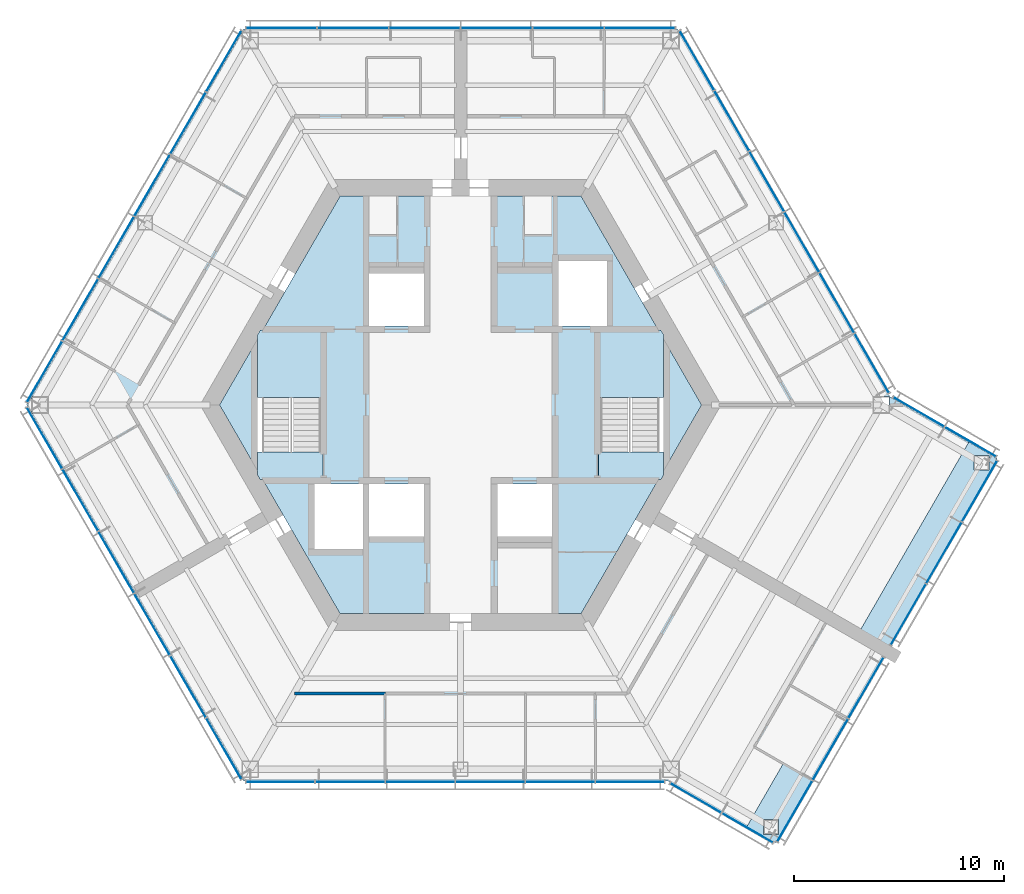
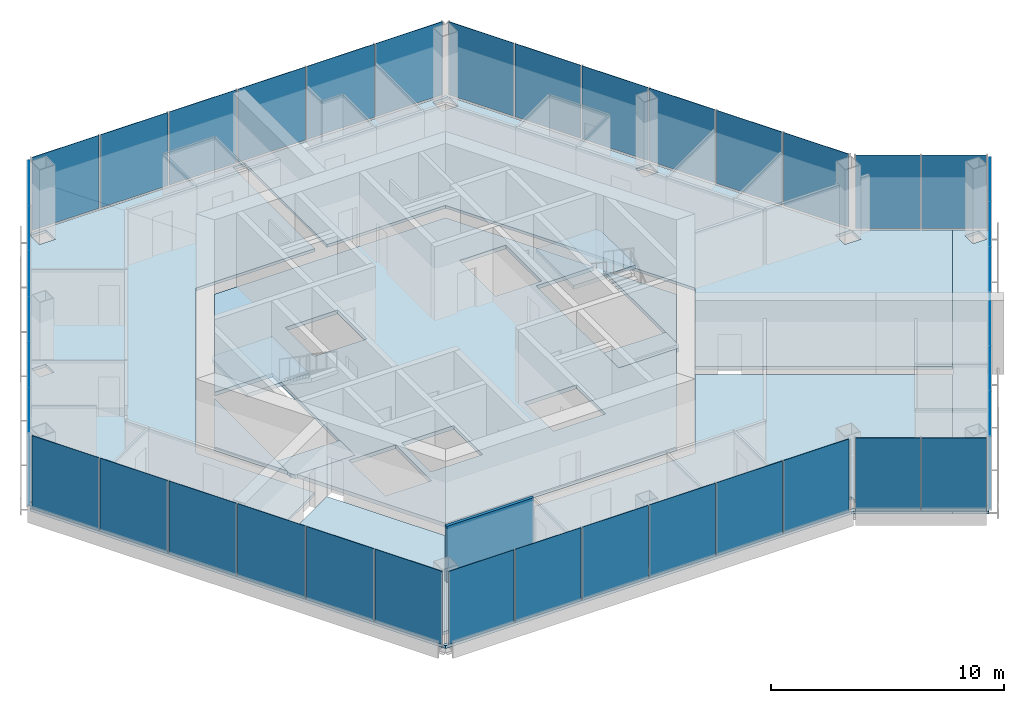
# One storey, part 6 of 13: 40 plates, 9 slabs, 1 wall, 11 elements without a shape of their own.
"""IFC4 building model written with IfcOpenShell, lengths in metres."""

from ifc_helpers import new_model, si_unit, direction, frame, frame_2d, origin, origin_2d, place, context, subcontext, project, spatial, polyline, rectangle, outline, extrude, material, layer, layer_set, type_object, element, aggregate, save


model = new_model("IFC4")

# Units and contexts
model_context = context("Model", 3, precision=1e-05, world=origin(), true_north=direction((0.0, 1.0)))
body_context = subcontext(model_context, "Body", "Model", "MODEL_VIEW")
ifc_project = project(units=[si_unit("LENGTHUNIT", "METRE"), si_unit("AREAUNIT", "SQUARE_METRE"), si_unit("VOLUMEUNIT", "CUBIC_METRE"), si_unit("PLANEANGLEUNIT", "RADIAN"), si_unit("MASSUNIT", "GRAM", prefix="KILO")], contexts=[model_context])

# Site, building, storey
site_placement = place(None, origin())
site = spatial("IfcSite", under=ifc_project, at=site_placement, CompositionType="ELEMENT")
building_placement = place(site_placement, origin())
building = spatial("IfcBuilding", under=site, at=building_placement, Name="Kasaneha Research Tower", CompositionType="ELEMENT")
storey_placement = place(building_placement, frame((0.0, 0.0, 271.300048828125)))
storey = spatial("IfcBuildingStorey", under=building, at=storey_placement, Name="L68", CompositionType="ELEMENT", Elevation=271.300048828125)

# Curtain wall, plates
ifc_material_1 = material(Name="Glass and aluminium", Category="aluminium")
curtain_wall_type = type_object("IfcCurtainWallType", Name="Crown curtain wall", PredefinedType="USERDEFINED", material=ifc_material_1)
curtain_wall_1_placement = place(storey_placement, origin())
curtain_wall_1 = element("IfcCurtainWall", 1, at=curtain_wall_1_placement, inside=storey, type_object=curtain_wall_type, Name="CW-C L68 run 01a", ObjectType="UNITISED CURTAIN WALL", PredefinedType="USERDEFINED")
ifc_material_2 = material(Name="Laminated double glazing", Category="glass")
ifc_layer_1 = layer(ifc_material_2, 0.02587890625)
ifc_layer_set_1 = layer_set([ifc_layer_1], Name="CW-C glazed panel")
plate_type = type_object("IfcPlateType", Name="CW-C glazed panel", PredefinedType="CURTAIN_PANEL", material=ifc_layer_set_1)
plate_1_placement = place(storey_placement, frame((19.549072265625, 1.981201171875, 0.06005859375), z_axis=(0.0, 0.0, 1.0), x_axis=(-0.499999979232, 0.866025415775, 0.0)))
plate_1 = element("IfcPlate", 2, at=plate_1_placement, type_object=plate_type, Name="CW-C panel 1", PredefinedType="CURTAIN_PANEL", context=body_context, shape_type="SweptSolid", body=[
    extrude(rectangle(XDim=3.240966796875, YDim=0.02587890625, at=origin_2d()), origin(), (0.0, 0.0, 1.0), 3.840087890625),
])
plate_2_placement = place(storey_placement, frame((17.89111328125, 4.852783203125, 0.06005859375), z_axis=(0.0, 0.0, 1.0), x_axis=(-0.499999979232, 0.866025415775, 0.0)))
plate_2 = element("IfcPlate", 3, at=plate_2_placement, type_object=plate_type, Name="CW-C panel 2", PredefinedType="CURTAIN_PANEL", context=body_context, shape_type="SweptSolid", body=[
    extrude(rectangle(XDim=3.27099609375, YDim=0.02587890625, at=origin_2d()), origin(), (0.0, 0.0, 1.0), 3.840087890625),
])
plate_3_placement = place(storey_placement, frame((16.2255859375, 7.737548828125, 0.06005859375), z_axis=(0.0, 0.0, 1.0), x_axis=(-0.499999979232, 0.866025415775, 0.0)))
plate_3 = element("IfcPlate", 4, at=plate_3_placement, type_object=plate_type, Name="CW-C panel 3", PredefinedType="CURTAIN_PANEL", context=body_context, shape_type="SweptSolid", body=[
    extrude(rectangle(XDim=3.27099609375, YDim=0.02587890625, at=origin_2d()), origin(), (0.0, 0.0, 1.0), 3.840087890625),
])
plate_4_placement = place(storey_placement, frame((14.56005859375, 10.622314453125, 0.06005859375), z_axis=(0.0, 0.0, 1.0), x_axis=(-0.499999979232, 0.866025415775, 0.0)))
plate_4 = element("IfcPlate", 5, at=plate_4_placement, type_object=plate_type, Name="CW-C panel 4", PredefinedType="CURTAIN_PANEL", context=body_context, shape_type="SweptSolid", body=[
    extrude(rectangle(XDim=3.27099609375, YDim=0.02587890625, at=origin_2d()), origin(), (0.0, 0.0, 1.0), 3.840087890625),
])
plate_5_placement = place(storey_placement, frame((12.89453125, 13.5068359375, 0.06005859375), z_axis=(0.0, 0.0, 1.0), x_axis=(-0.499999979232, 0.866025415775, 0.0)))
plate_5 = element("IfcPlate", 6, at=plate_5_placement, type_object=plate_type, Name="CW-C panel 5", PredefinedType="CURTAIN_PANEL", context=body_context, shape_type="SweptSolid", body=[
    extrude(rectangle(XDim=3.27099609375, YDim=0.02587890625, at=origin_2d()), origin(), (0.0, 0.0, 1.0), 3.840087890625),
])
plate_6_placement = place(storey_placement, frame((11.236572265625, 16.378662109375, 0.06005859375), z_axis=(0.0, 0.0, 1.0), x_axis=(-0.499999979232, 0.866025415775, 0.0)))
plate_6 = element("IfcPlate", 7, at=plate_6_placement, type_object=plate_type, Name="CW-C panel 6", PredefinedType="CURTAIN_PANEL", context=body_context, shape_type="SweptSolid", body=[
    extrude(rectangle(XDim=3.240966796875, YDim=0.02587890625, at=origin_2d()), origin(), (0.0, 0.0, 1.0), 3.840087890625),
])
aggregate(curtain_wall_1, [plate_1, plate_2, plate_3, plate_4, plate_5, plate_6])

curtain_wall_2_placement = place(storey_placement, origin())
curtain_wall_2 = element("IfcCurtainWall", 8, at=curtain_wall_2_placement, inside=storey, type_object=curtain_wall_type, Name="CW-C L68 run 02a", ObjectType="UNITISED CURTAIN WALL", PredefinedType="USERDEFINED")
plate_7_placement = place(storey_placement, frame((8.523681640625, 17.92041015625, 0.06005859375), z_axis=(0.0, 0.0, 1.0), x_axis=(-1.0, 0.0, 0.0)))
plate_7 = element("IfcPlate", 9, at=plate_7_placement, type_object=plate_type, Name="CW-C panel 1", PredefinedType="CURTAIN_PANEL", context=body_context, shape_type="SweptSolid", body=[
    extrude(rectangle(XDim=3.325439453125, YDim=0.02587890625, at=origin_2d()), origin(), (0.0, 0.0, 1.0), 3.840087890625),
])
plate_8_placement = place(storey_placement, frame((5.123291015625, 17.92041015625, 0.06005859375), z_axis=(0.0, 0.0, 1.0), x_axis=(-1.0, 0.0, 0.0)))
plate_8 = element("IfcPlate", 10, at=plate_8_placement, type_object=plate_type, Name="CW-C panel 2", PredefinedType="CURTAIN_PANEL", context=body_context, shape_type="SweptSolid", body=[
    extrude(rectangle(XDim=3.35546875, YDim=0.02587890625, at=origin_2d()), origin(), (0.0, 0.0, 1.0), 3.840087890625),
])
plate_9_placement = place(storey_placement, frame((1.707763671875, 17.92041015625, 0.06005859375), z_axis=(0.0, 0.0, 1.0), x_axis=(-1.0, 0.0, 0.0)))
plate_9 = element("IfcPlate", 11, at=plate_9_placement, type_object=plate_type, Name="CW-C panel 3", PredefinedType="CURTAIN_PANEL", context=body_context, shape_type="SweptSolid", body=[
    extrude(rectangle(XDim=3.35546875, YDim=0.02587890625, at=origin_2d()), origin(), (0.0, 0.0, 1.0), 3.840087890625),
])
plate_10_placement = place(storey_placement, frame((-1.707763671875, 17.92041015625, 0.06005859375), z_axis=(0.0, 0.0, 1.0), x_axis=(-1.0, 0.0, 0.0)))
plate_10 = element("IfcPlate", 12, at=plate_10_placement, type_object=plate_type, Name="CW-C panel 4", PredefinedType="CURTAIN_PANEL", context=body_context, shape_type="SweptSolid", body=[
    extrude(rectangle(XDim=3.35546875, YDim=0.02587890625, at=origin_2d()), origin(), (0.0, 0.0, 1.0), 3.840087890625),
])
plate_11_placement = place(storey_placement, frame((-5.123291015625, 17.92041015625, 0.06005859375), z_axis=(0.0, 0.0, 1.0), x_axis=(-1.0, 0.0, 0.0)))
plate_11 = element("IfcPlate", 13, at=plate_11_placement, type_object=plate_type, Name="CW-C panel 5", PredefinedType="CURTAIN_PANEL", context=body_context, shape_type="SweptSolid", body=[
    extrude(rectangle(XDim=3.35546875, YDim=0.02587890625, at=origin_2d()), origin(), (0.0, 0.0, 1.0), 3.840087890625),
])
plate_12_placement = place(storey_placement, frame((-8.523681640625, 17.92041015625, 0.06005859375), z_axis=(0.0, 0.0, 1.0), x_axis=(-1.0, 0.0, 0.0)))
plate_12 = element("IfcPlate", 14, at=plate_12_placement, type_object=plate_type, Name="CW-C panel 6", PredefinedType="CURTAIN_PANEL", context=body_context, shape_type="SweptSolid", body=[
    extrude(rectangle(XDim=3.325439453125, YDim=0.02587890625, at=origin_2d()), origin(), (0.0, 0.0, 1.0), 3.840087890625),
])
aggregate(curtain_wall_2, [plate_7, plate_8, plate_9, plate_10, plate_11, plate_12])

curtain_wall_3_placement = place(storey_placement, origin())
curtain_wall_3 = element("IfcCurtainWall", 15, at=curtain_wall_3_placement, inside=storey, type_object=curtain_wall_type, Name="CW-C L68 run 03a", ObjectType="UNITISED CURTAIN WALL", PredefinedType="USERDEFINED")
plate_13_placement = place(storey_placement, frame((-11.2578125, 16.342041015625, 0.06005859375), z_axis=(0.0, 0.0, 1.0), x_axis=(-0.499999995722, -0.866025406254, 0.0)))
plate_13 = element("IfcPlate", 16, at=plate_13_placement, type_object=plate_type, Name="CW-C panel 1", PredefinedType="CURTAIN_PANEL", context=body_context, shape_type="SweptSolid", body=[
    extrude(rectangle(XDim=3.325439453125, YDim=0.02587890625, at=origin_2d()), origin(), (0.0, 0.0, 1.0), 3.840087890625),
])
plate_14_placement = place(storey_placement, frame((-12.9580078125, 13.39697265625, 0.06005859375), z_axis=(0.0, 0.0, 1.0), x_axis=(-0.499999995722, -0.866025406254, 0.0)))
plate_14 = element("IfcPlate", 17, at=plate_14_placement, type_object=plate_type, Name="CW-C panel 2", PredefinedType="CURTAIN_PANEL", context=body_context, shape_type="SweptSolid", body=[
    extrude(rectangle(XDim=3.35546875, YDim=0.02587890625, at=origin_2d()), origin(), (0.0, 0.0, 1.0), 3.840087890625),
])
plate_15_placement = place(storey_placement, frame((-14.665771484375, 10.439208984375, 0.06005859375), z_axis=(0.0, 0.0, 1.0), x_axis=(-0.499999995722, -0.866025406254, 0.0)))
plate_15 = element("IfcPlate", 18, at=plate_15_placement, type_object=plate_type, Name="CW-C panel 3", PredefinedType="CURTAIN_PANEL", context=body_context, shape_type="SweptSolid", body=[
    extrude(rectangle(XDim=3.35546875, YDim=0.02587890625, at=origin_2d()), origin(), (0.0, 0.0, 1.0), 3.840087890625),
])
plate_16_placement = place(storey_placement, frame((-16.37353515625, 7.481201171875, 0.06005859375), z_axis=(0.0, 0.0, 1.0), x_axis=(-0.499999995722, -0.866025406254, 0.0)))
plate_16 = element("IfcPlate", 19, at=plate_16_placement, type_object=plate_type, Name="CW-C panel 4", PredefinedType="CURTAIN_PANEL", context=body_context, shape_type="SweptSolid", body=[
    extrude(rectangle(XDim=3.35546875, YDim=0.02587890625, at=origin_2d()), origin(), (0.0, 0.0, 1.0), 3.840087890625),
])
plate_17_placement = place(storey_placement, frame((-18.081298828125, 4.5234375, 0.06005859375), z_axis=(0.0, 0.0, 1.0), x_axis=(-0.499999995722, -0.866025406254, 0.0)))
plate_17 = element("IfcPlate", 20, at=plate_17_placement, type_object=plate_type, Name="CW-C panel 5", PredefinedType="CURTAIN_PANEL", context=body_context, shape_type="SweptSolid", body=[
    extrude(rectangle(XDim=3.35546875, YDim=0.02587890625, at=origin_2d()), origin(), (0.0, 0.0, 1.0), 3.840087890625),
])
plate_18_placement = place(storey_placement, frame((-19.781494140625, 1.57861328125, 0.06005859375), z_axis=(0.0, 0.0, 1.0), x_axis=(-0.499999995722, -0.866025406254, 0.0)))
plate_18 = element("IfcPlate", 21, at=plate_18_placement, type_object=plate_type, Name="CW-C panel 6", PredefinedType="CURTAIN_PANEL", context=body_context, shape_type="SweptSolid", body=[
    extrude(rectangle(XDim=3.325439453125, YDim=0.02587890625, at=origin_2d()), origin(), (0.0, 0.0, 1.0), 3.840087890625),
])
aggregate(curtain_wall_3, [plate_13, plate_14, plate_15, plate_16, plate_17, plate_18])

curtain_wall_4_placement = place(storey_placement, origin())
curtain_wall_4 = element("IfcCurtainWall", 22, at=curtain_wall_4_placement, inside=storey, type_object=curtain_wall_type, Name="CW-C L68 run 04a", ObjectType="UNITISED CURTAIN WALL", PredefinedType="USERDEFINED")
plate_19_placement = place(storey_placement, frame((-19.781494140625, -1.57861328125, 0.06005859375), z_axis=(0.0, 0.0, 1.0), x_axis=(0.499999995722, -0.866025406254, 0.0)))
plate_19 = element("IfcPlate", 23, at=plate_19_placement, type_object=plate_type, Name="CW-C panel 1", PredefinedType="CURTAIN_PANEL", context=body_context, shape_type="SweptSolid", body=[
    extrude(rectangle(XDim=3.325439453125, YDim=0.02587890625, at=origin_2d()), origin(), (0.0, 0.0, 1.0), 3.840087890625),
])
plate_20_placement = place(storey_placement, frame((-18.081298828125, -4.5234375, 0.06005859375), z_axis=(0.0, 0.0, 1.0), x_axis=(0.499999995722, -0.866025406254, 0.0)))
plate_20 = element("IfcPlate", 24, at=plate_20_placement, type_object=plate_type, Name="CW-C panel 2", PredefinedType="CURTAIN_PANEL", context=body_context, shape_type="SweptSolid", body=[
    extrude(rectangle(XDim=3.35546875, YDim=0.02587890625, at=origin_2d()), origin(), (0.0, 0.0, 1.0), 3.840087890625),
])
plate_21_placement = place(storey_placement, frame((-16.37353515625, -7.481201171875, 0.06005859375), z_axis=(0.0, 0.0, 1.0), x_axis=(0.499999995722, -0.866025406254, 0.0)))
plate_21 = element("IfcPlate", 25, at=plate_21_placement, type_object=plate_type, Name="CW-C panel 3", PredefinedType="CURTAIN_PANEL", context=body_context, shape_type="SweptSolid", body=[
    extrude(rectangle(XDim=3.35546875, YDim=0.02587890625, at=origin_2d()), origin(), (0.0, 0.0, 1.0), 3.840087890625),
])
plate_22_placement = place(storey_placement, frame((-14.665771484375, -10.439208984375, 0.06005859375), z_axis=(0.0, 0.0, 1.0), x_axis=(0.499999995722, -0.866025406254, 0.0)))
plate_22 = element("IfcPlate", 26, at=plate_22_placement, type_object=plate_type, Name="CW-C panel 4", PredefinedType="CURTAIN_PANEL", context=body_context, shape_type="SweptSolid", body=[
    extrude(rectangle(XDim=3.35546875, YDim=0.02587890625, at=origin_2d()), origin(), (0.0, 0.0, 1.0), 3.840087890625),
])
plate_23_placement = place(storey_placement, frame((-12.9580078125, -13.39697265625, 0.06005859375), z_axis=(0.0, 0.0, 1.0), x_axis=(0.499999995722, -0.866025406254, 0.0)))
plate_23 = element("IfcPlate", 27, at=plate_23_placement, type_object=plate_type, Name="CW-C panel 5", PredefinedType="CURTAIN_PANEL", context=body_context, shape_type="SweptSolid", body=[
    extrude(rectangle(XDim=3.35546875, YDim=0.02587890625, at=origin_2d()), origin(), (0.0, 0.0, 1.0), 3.840087890625),
])
plate_24_placement = place(storey_placement, frame((-11.2578125, -16.342041015625, 0.06005859375), z_axis=(0.0, 0.0, 1.0), x_axis=(0.499999995722, -0.866025406254, 0.0)))
plate_24 = element("IfcPlate", 28, at=plate_24_placement, type_object=plate_type, Name="CW-C panel 6", PredefinedType="CURTAIN_PANEL", context=body_context, shape_type="SweptSolid", body=[
    extrude(rectangle(XDim=3.325439453125, YDim=0.02587890625, at=origin_2d()), origin(), (0.0, 0.0, 1.0), 3.840087890625),
])
aggregate(curtain_wall_4, [plate_19, plate_20, plate_21, plate_22, plate_23, plate_24])

curtain_wall_5_placement = place(storey_placement, origin())
curtain_wall_5 = element("IfcCurtainWall", 29, at=curtain_wall_5_placement, inside=storey, type_object=curtain_wall_type, Name="CW-C L68 run 05a", ObjectType="UNITISED CURTAIN WALL", PredefinedType="USERDEFINED")
plate_25_placement = place(storey_placement, frame((-8.56591796875, -17.92041015625, 0.06005859375), z_axis=(0.0, 0.0, 1.0), x_axis=(1.0, 0.0, 0.0)))
plate_25 = element("IfcPlate", 30, at=plate_25_placement, type_object=plate_type, Name="CW-C panel 1", PredefinedType="CURTAIN_PANEL", context=body_context, shape_type="SweptSolid", body=[
    extrude(rectangle(XDim=3.240966796875, YDim=0.02587890625, at=origin_2d()), origin(), (0.0, 0.0, 1.0), 3.840087890625),
])
plate_26_placement = place(storey_placement, frame((-5.25, -17.92041015625, 0.06005859375), z_axis=(0.0, 0.0, 1.0), x_axis=(1.0, 0.0, 0.0)))
plate_26 = element("IfcPlate", 31, at=plate_26_placement, type_object=plate_type, Name="CW-C panel 2", PredefinedType="CURTAIN_PANEL", context=body_context, shape_type="SweptSolid", body=[
    extrude(rectangle(XDim=3.27099609375, YDim=0.02587890625, at=origin_2d()), origin(), (0.0, 0.0, 1.0), 3.840087890625),
])
plate_27_placement = place(storey_placement, frame((-1.9189453125, -17.92041015625, 0.06005859375), z_axis=(0.0, 0.0, 1.0), x_axis=(1.0, 0.0, 0.0)))
plate_27 = element("IfcPlate", 32, at=plate_27_placement, type_object=plate_type, Name="CW-C panel 3", PredefinedType="CURTAIN_PANEL", context=body_context, shape_type="SweptSolid", body=[
    extrude(rectangle(XDim=3.27099609375, YDim=0.02587890625, at=origin_2d()), origin(), (0.0, 0.0, 1.0), 3.840087890625),
])
plate_28_placement = place(storey_placement, frame((1.411865234375, -17.92041015625, 0.06005859375), z_axis=(0.0, 0.0, 1.0), x_axis=(1.0, 0.0, 0.0)))
plate_28 = element("IfcPlate", 33, at=plate_28_placement, type_object=plate_type, Name="CW-C panel 4", PredefinedType="CURTAIN_PANEL", context=body_context, shape_type="SweptSolid", body=[
    extrude(rectangle(XDim=3.27099609375, YDim=0.02587890625, at=origin_2d()), origin(), (0.0, 0.0, 1.0), 3.840087890625),
])
plate_29_placement = place(storey_placement, frame((4.742919921875, -17.92041015625, 0.06005859375), z_axis=(0.0, 0.0, 1.0), x_axis=(1.0, 0.0, 0.0)))
plate_29 = element("IfcPlate", 34, at=plate_29_placement, type_object=plate_type, Name="CW-C panel 5", PredefinedType="CURTAIN_PANEL", context=body_context, shape_type="SweptSolid", body=[
    extrude(rectangle(XDim=3.27099609375, YDim=0.02587890625, at=origin_2d()), origin(), (0.0, 0.0, 1.0), 3.840087890625),
])
plate_30_placement = place(storey_placement, frame((8.058837890625, -17.92041015625, 0.06005859375), z_axis=(0.0, 0.0, 1.0), x_axis=(1.0, 0.0, 0.0)))
plate_30 = element("IfcPlate", 35, at=plate_30_placement, type_object=plate_type, Name="CW-C panel 6", PredefinedType="CURTAIN_PANEL", context=body_context, shape_type="SweptSolid", body=[
    extrude(rectangle(XDim=3.240966796875, YDim=0.02587890625, at=origin_2d()), origin(), (0.0, 0.0, 1.0), 3.840087890625),
])
aggregate(curtain_wall_5, [plate_25, plate_26, plate_27, plate_28, plate_29, plate_30])

curtain_wall_6_placement = place(storey_placement, origin())
curtain_wall_6 = element("IfcCurtainWall", 36, at=curtain_wall_6_placement, inside=storey, type_object=curtain_wall_type, Name="CW-C L68 run 06a", ObjectType="UNITISED CURTAIN WALL", PredefinedType="USERDEFINED")
plate_31_placement = place(storey_placement, frame((11.181396484375, -18.6953125, 0.06005859375), z_axis=(0.0, 0.0, 1.0), x_axis=(0.866025443395, -0.499999931393, 0.0)))
plate_31 = element("IfcPlate", 37, at=plate_31_placement, type_object=plate_type, Name="CW-C panel 1", PredefinedType="CURTAIN_PANEL", context=body_context, shape_type="SweptSolid", body=[
    extrude(rectangle(XDim=2.779541015625, YDim=0.02587890625, at=origin_2d()), origin(), (0.0, 0.0, 1.0), 3.840087890625),
])
plate_32_placement = place(storey_placement, frame((13.640625, -20.115234375, 0.06005859375), z_axis=(0.0, 0.0, 1.0), x_axis=(0.866025443395, -0.499999931393, 0.0)))
plate_32 = element("IfcPlate", 38, at=plate_32_placement, type_object=plate_type, Name="CW-C panel 2", PredefinedType="CURTAIN_PANEL", context=body_context, shape_type="SweptSolid", body=[
    extrude(rectangle(XDim=2.779541015625, YDim=0.02587890625, at=origin_2d()), origin(), (0.0, 0.0, 1.0), 3.840087890625),
])
aggregate(curtain_wall_6, [plate_31, plate_32])

curtain_wall_7_placement = place(storey_placement, origin())
curtain_wall_7 = element("IfcCurtainWall", 39, at=curtain_wall_7_placement, inside=storey, type_object=curtain_wall_type, Name="CW-C L68 run 07a", ObjectType="UNITISED CURTAIN WALL", PredefinedType="USERDEFINED")
plate_33_placement = place(storey_placement, frame((15.89013671875, -19.318359375, 0.06005859375), z_axis=(0.0, 0.0, 1.0), x_axis=(0.500000011442, 0.866025397178, 0.0)))
plate_33 = element("IfcPlate", 40, at=plate_33_placement, type_object=plate_type, Name="CW-C panel 1", PredefinedType="CURTAIN_PANEL", context=body_context, shape_type="SweptSolid", body=[
    extrude(rectangle(XDim=3.31005859375, YDim=0.02587890625, at=origin_2d()), origin(), (0.0, 0.0, 1.0), 3.840087890625),
])
plate_34_placement = place(storey_placement, frame((17.582763671875, -16.38671875, 0.06005859375), z_axis=(0.0, 0.0, 1.0), x_axis=(0.500000011442, 0.866025397178, 0.0)))
plate_34 = element("IfcPlate", 41, at=plate_34_placement, type_object=plate_type, Name="CW-C panel 2", PredefinedType="CURTAIN_PANEL", context=body_context, shape_type="SweptSolid", body=[
    extrude(rectangle(XDim=3.340087890625, YDim=0.02587890625, at=origin_2d()), origin(), (0.0, 0.0, 1.0), 3.840087890625),
])
plate_35_placement = place(storey_placement, frame((19.275146484375, -13.455322265625, 0.06005859375), z_axis=(0.0, 0.0, 1.0), x_axis=(0.500000011442, 0.866025397178, 0.0)))
plate_35 = element("IfcPlate", 42, at=plate_35_placement, type_object=plate_type, Name="CW-C panel 3", PredefinedType="CURTAIN_PANEL", context=body_context, shape_type="SweptSolid", body=[
    extrude(rectangle(XDim=3.31005859375, YDim=0.02587890625, at=origin_2d()), origin(), (0.0, 0.0, 1.0), 3.840087890625),
])
aggregate(curtain_wall_7, [plate_33, plate_34, plate_35])

curtain_wall_8_placement = place(storey_placement, origin())
curtain_wall_8 = element("IfcCurtainWall", 43, at=curtain_wall_8_placement, inside=storey, type_object=curtain_wall_type, Name="CW-C L68 run 08a", ObjectType="UNITISED CURTAIN WALL", PredefinedType="USERDEFINED")
plate_36_placement = place(storey_placement, frame((21.290283203125, -9.96533203125, 0.06005859375), z_axis=(0.0, 0.0, 1.0), x_axis=(0.500000011442, 0.866025397178, 0.0)))
plate_36 = element("IfcPlate", 44, at=plate_36_placement, type_object=plate_type, Name="CW-C panel 1", PredefinedType="CURTAIN_PANEL", context=body_context, shape_type="SweptSolid", body=[
    extrude(rectangle(XDim=3.31005859375, YDim=0.02587890625, at=origin_2d()), origin(), (0.0, 0.0, 1.0), 3.840087890625),
])
plate_37_placement = place(storey_placement, frame((22.982666015625, -7.03369140625, 0.06005859375), z_axis=(0.0, 0.0, 1.0), x_axis=(0.500000011442, 0.866025397178, 0.0)))
plate_37 = element("IfcPlate", 45, at=plate_37_placement, type_object=plate_type, Name="CW-C panel 2", PredefinedType="CURTAIN_PANEL", context=body_context, shape_type="SweptSolid", body=[
    extrude(rectangle(XDim=3.340087890625, YDim=0.02587890625, at=origin_2d()), origin(), (0.0, 0.0, 1.0), 3.840087890625),
])
plate_38_placement = place(storey_placement, frame((24.67529296875, -4.102294921875, 0.06005859375), z_axis=(0.0, 0.0, 1.0), x_axis=(0.500000011442, 0.866025397178, 0.0)))
plate_38 = element("IfcPlate", 46, at=plate_38_placement, type_object=plate_type, Name="CW-C panel 3", PredefinedType="CURTAIN_PANEL", context=body_context, shape_type="SweptSolid", body=[
    extrude(rectangle(XDim=3.31005859375, YDim=0.02587890625, at=origin_2d()), origin(), (0.0, 0.0, 1.0), 3.840087890625),
])
aggregate(curtain_wall_8, [plate_36, plate_37, plate_38])

curtain_wall_9_placement = place(storey_placement, origin())
curtain_wall_9 = element("IfcCurtainWall", 47, at=curtain_wall_9_placement, inside=storey, type_object=curtain_wall_type, Name="CW-C L68 run 09a", ObjectType="UNITISED CURTAIN WALL", PredefinedType="USERDEFINED")
plate_39_placement = place(storey_placement, frame((24.240478515625, -1.75537109375, 0.06005859375), z_axis=(0.0, 0.0, 1.0), x_axis=(-0.866025443395, 0.499999931393, 0.0)))
plate_39 = element("IfcPlate", 48, at=plate_39_placement, type_object=plate_type, Name="CW-C panel 1", PredefinedType="CURTAIN_PANEL", context=body_context, shape_type="SweptSolid", body=[
    extrude(rectangle(XDim=2.779541015625, YDim=0.02587890625, at=origin_2d()), origin(), (0.0, 0.0, 1.0), 3.840087890625),
])
plate_40_placement = place(storey_placement, frame((21.781494140625, -0.335693359375, 0.06005859375), z_axis=(0.0, 0.0, 1.0), x_axis=(-0.866025443395, 0.499999931393, 0.0)))
plate_40 = element("IfcPlate", 49, at=plate_40_placement, type_object=plate_type, Name="CW-C panel 2", PredefinedType="CURTAIN_PANEL", context=body_context, shape_type="SweptSolid", body=[
    extrude(rectangle(XDim=2.779541015625, YDim=0.02587890625, at=origin_2d()), origin(), (0.0, 0.0, 1.0), 3.840087890625),
])
aggregate(curtain_wall_9, [plate_39, plate_40])

# Slabs
ifc_material_3 = material(Name="Concrete Fc24", Category="concrete")
ifc_layer_2 = layer(ifc_material_3, 0.199951171875)
ifc_layer_set_2 = layer_set([ifc_layer_2], Name="Core floor slab 200")
slab_type_1 = type_object("IfcSlabType", Name="Core floor slab 200", PredefinedType="FLOOR", material=ifc_layer_set_2)
slab_1_placement = place(storey_placement, frame((0.0, 0.0, -0.199951171875)))
element("IfcSlab", 50, at=slab_1_placement, inside=storey, type_object=slab_type_1, Name="Core slab L68", PredefinedType="FLOOR", context=body_context, shape_type="SweptSolid", body=[
    extrude(outline(polyline([(-11.46044921875, 0.0), (-9.64990234375, 3.1357421875), (-9.64990234375, -3.1357421875), (-11.46044921875, 0.0)])), origin(), (0.0, 0.0, 1.0), 0.199951171875),
])
slab_2_placement = place(storey_placement, frame((0.0, 0.0, -0.199951171875)))
element("IfcSlab", 51, at=slab_2_placement, inside=storey, type_object=slab_type_1, Name="Core slab L68", PredefinedType="FLOOR", context=body_context, shape_type="SweptSolid", body=[
    extrude(outline(polyline([(-5.730224609375, 9.925048828125), (5.730224609375, 9.925048828125), (9.410888671875, 3.550048828125), (6.550048828125, 3.550048828125), (6.550048828125, -3.550048828125), (9.410888671875, -3.550048828125), (5.730224609375, -9.925048828125), (-5.730224609375, -9.925048828125), (-9.410888671875, -3.550048828125), (-6.550048828125, -3.550048828125), (-6.550048828125, 3.550048828125), (-9.410888671875, 3.550048828125), (-5.730224609375, 9.925048828125)]), holes=[polyline([(-6.949951171875, -6.85009765625), (-4.64990234375, -6.85009765625), (-4.64990234375, -3.75), (-6.949951171875, -3.75), (-6.949951171875, -6.85009765625)]), polyline([(-4.35009765625, -3.75), (-4.35009765625, -6.25), (-1.75, -6.25), (-1.75, -3.75), (-4.35009765625, -3.75)]), polyline([(1.75, -3.75), (1.75, -6.25), (4.35009765625, -6.25), (4.35009765625, -3.75), (1.75, -3.75)]), polyline([(-4.35009765625, 6.25), (-4.35009765625, 3.75), (-1.75, 3.75), (-1.75, 6.25), (-4.35009765625, 6.25)]), polyline([(4.64990234375, 6.85009765625), (4.64990234375, 3.75), (6.949951171875, 3.75), (6.949951171875, 6.85009765625), (4.64990234375, 6.85009765625)])]), origin(), (0.0, 0.0, 1.0), 0.199951171875),
])
slab_3_placement = place(storey_placement, frame((0.0, 0.0, -0.199951171875)))
element("IfcSlab", 52, at=slab_3_placement, inside=storey, type_object=slab_type_1, Name="Core slab L68", PredefinedType="FLOOR", context=body_context, shape_type="SweptSolid", body=[
    extrude(outline(polyline([(11.46044921875, 0.0), (9.64990234375, -3.1357421875), (9.64990234375, 3.1357421875), (11.46044921875, 0.0)])), origin(), (0.0, 0.0, 1.0), 0.199951171875),
])
ifc_material_4 = material(Name="Concrete Fc24", Category="concrete")
ifc_layer_3 = layer(ifc_material_4, 0.14990234375)
ifc_layer_set_3 = layer_set([ifc_layer_3], Name="Floor slab 150")
slab_type_2 = type_object("IfcSlabType", Name="Floor slab 150", PredefinedType="FLOOR", material=ifc_layer_set_3)
slab_4_placement = place(storey_placement, frame((0.0, 0.0, -0.150146484375)))
element("IfcSlab", 53, at=slab_4_placement, inside=storey, type_object=slab_type_2, Name="Floor slab L68 1", PredefinedType="FLOOR", context=body_context, shape_type="SweptSolid", body=[
    extrude(outline(polyline([(-10.317626953125, -17.87060546875), (-10.3974609375, -17.732177734375), (-10.385986328125, -17.720703125), (-9.599853515625, -17.720703125), (-9.599853515625, -16.92041015625), (-10.400146484375, -16.92041015625), (-10.400146484375, -17.70654296875), (-10.40771484375, -17.714111328125), (-20.635009765625, 0.0), (-20.40771484375, 0.3935546875), (-20.400146484375, 0.385986328125), (-20.400146484375, -0.400146484375), (-19.599853515625, -0.400146484375), (-19.599853515625, 0.400146484375), (-20.385986328125, 0.400146484375), (-20.3974609375, 0.41162109375), (-10.40771484375, 17.714111328125), (-10.400146484375, 17.70654296875), (-10.400146484375, 16.92041015625), (-9.599853515625, 16.92041015625), (-9.599853515625, 17.720703125), (-10.385986328125, 17.720703125), (-10.3974609375, 17.732177734375), (-10.317626953125, 17.87060546875), (10.317626953125, 17.87060546875), (10.3974609375, 17.732177734375), (10.385986328125, 17.720703125), (9.599853515625, 17.720703125), (9.599853515625, 16.92041015625), (10.400146484375, 16.92041015625), (10.400146484375, 17.70654296875), (10.40771484375, 17.714111328125), (20.3974609375, 0.41162109375), (20.385986328125, 0.400146484375), (19.599853515625, 0.400146484375), (19.599853515625, -0.400146484375), (20.400146484375, -0.400146484375), (20.400146484375, 0.385986328125), (20.41162109375, 0.3974609375), (24.163330078125, -1.768798828125), (19.038330078125, -10.6455078125), (9.438232421875, -5.102783203125), (12.38427734375, 0.0), (6.192138671875, 10.72509765625), (0.300048828125, 10.72509765625), (0.300048828125, 17.7705078125), (-0.300048828125, 17.7705078125), (-0.300048828125, 10.72509765625), (-6.192138671875, 10.72509765625), (-12.38427734375, 0.0), (-9.438232421875, -5.102783203125), (-15.539794921875, -8.62548828125), (-15.23974609375, -9.14501953125), (-9.13818359375, -5.622314453125), (-6.192138671875, -10.72509765625), (6.192138671875, -10.72509765625), (9.13818359375, -5.622314453125), (18.738525390625, -11.1650390625), (13.613525390625, -20.041748046875), (9.8525390625, -17.87060546875), (-10.317626953125, -17.87060546875)]), holes=[polyline([(0.35009765625, -17.67041015625), (0.35009765625, -16.970458984375), (-0.35009765625, -16.970458984375), (-0.35009765625, -17.67041015625), (0.35009765625, -17.67041015625)]), polyline([(-15.35009765625, 8.310302734375), (-14.64990234375, 8.310302734375), (-14.64990234375, 9.01025390625), (-15.35009765625, 9.01025390625), (-15.35009765625, 8.310302734375)]), polyline([(9.60009765625, -17.720458984375), (10.39990234375, -17.720458984375), (10.39990234375, -16.92041015625), (9.60009765625, -16.92041015625), (9.60009765625, -17.720458984375)]), polyline([(14.64990234375, 8.310302734375), (15.35009765625, 8.310302734375), (15.35009765625, 9.01025390625), (14.64990234375, 9.01025390625), (14.64990234375, 8.310302734375)])]), origin(), (0.0, 0.0, 1.0), 0.150146484375),
])
slab_5_placement = place(storey_placement, frame((0.0, 0.0, -0.150146484375)))
element("IfcSlab", 54, at=slab_5_placement, inside=storey, type_object=slab_type_2, Name="Floor slab L68 2", PredefinedType="FLOOR", context=body_context, shape_type="SweptSolid", body=[
    extrude(outline(polyline([(25.514404296875, -2.548583984375), (14.96435546875, -20.82177734375), (13.613525390625, -20.041748046875), (18.738525390625, -11.1650390625), (18.7470703125, -11.170166015625), (19.047119140625, -10.650390625), (19.038330078125, -10.6455078125), (24.163330078125, -1.768798828125), (25.514404296875, -2.548583984375)]), holes=[polyline([(14.4130859375, -20.42041015625), (15.113037109375, -20.42041015625), (15.113037109375, -19.720458984375), (14.4130859375, -19.720458984375), (14.4130859375, -20.42041015625)]), polyline([(24.4130859375, -3.10009765625), (25.113037109375, -3.10009765625), (25.113037109375, -2.39990234375), (24.4130859375, -2.39990234375), (24.4130859375, -3.10009765625)])]), origin(), (0.0, 0.0, 1.0), 0.150146484375),
])

# Stair, slabs
ifc_material_5 = material(Name="Concrete Fc24", Category="concrete")
stair_type = type_object("IfcStairType", Name="Half-turn stair 22 risers", PredefinedType="HALF_TURN_STAIR", material=ifc_material_5)
stair_1_placement = place(storey_placement, origin())
stair_1 = element("IfcStair", 55, at=stair_1_placement, inside=storey, type_object=stair_type, Name="Stair 1 L68", PredefinedType="HALF_TURN_STAIR")
ifc_material_6 = material(Name="Concrete Fc24", Category="concrete")
ifc_layer_4 = layer(ifc_material_6, 0.199951171875)
ifc_layer_set_4 = layer_set([ifc_layer_4], Name="Stair 1 landing 200")
slab_type_3 = type_object("IfcSlabType", Name="Stair 1 landing 200", PredefinedType="LANDING", material=ifc_layer_set_4)
slab_6_placement = place(storey_placement, frame((0.0, 0.0, -0.199951171875)))
slab_6 = element("IfcSlab", 56, at=slab_6_placement, type_object=slab_type_3, Name="ST1-22R landing 1", PredefinedType="LANDING", context=body_context, shape_type="SweptSolid", body=[
    extrude(outline(polyline([(9.5263671875, -3.550048828125), (6.550048828125, -3.550048828125), (6.550048828125, -2.25), (9.64990234375, -2.25), (9.64990234375, -3.335693359375), (9.5263671875, -3.550048828125)])), origin(), (0.0, 0.0, 1.0), 0.199951171875),
])
slab_7_placement = place(storey_placement, frame((0.0, 0.0, 1.75)))
slab_7 = element("IfcSlab", 57, at=slab_7_placement, type_object=slab_type_3, Name="ST1-22R landing 2", PredefinedType="LANDING", context=body_context, shape_type="SweptSolid", body=[
    extrude(outline(polyline([(6.550048828125, 3.550048828125), (9.5263671875, 3.550048828125), (9.64990234375, 3.335693359375), (9.64990234375, 0.35009765625), (6.550048828125, 0.35009765625), (6.550048828125, 3.550048828125)])), origin(), (0.0, 0.0, 1.0), 0.199951171875),
])
aggregate(stair_1, [slab_6, slab_7])

stair_2_placement = place(storey_placement, origin())
stair_2 = element("IfcStair", 58, at=stair_2_placement, inside=storey, type_object=stair_type, Name="Stair 2 L68", PredefinedType="HALF_TURN_STAIR")
ifc_material_7 = material(Name="Concrete Fc24", Category="concrete")
ifc_layer_5 = layer(ifc_material_7, 0.199951171875)
ifc_layer_set_5 = layer_set([ifc_layer_5], Name="Stair 2 landing 200")
slab_type_4 = type_object("IfcSlabType", Name="Stair 2 landing 200", PredefinedType="LANDING", material=ifc_layer_set_5)
slab_8_placement = place(storey_placement, frame((0.0, 0.0, -0.199951171875)))
slab_8 = element("IfcSlab", 59, at=slab_8_placement, type_object=slab_type_4, Name="ST2-22R landing 1", PredefinedType="LANDING", context=body_context, shape_type="SweptSolid", body=[
    extrude(outline(polyline([(-6.550048828125, -3.550048828125), (-9.5263671875, -3.550048828125), (-9.64990234375, -3.335693359375), (-9.64990234375, -2.25), (-6.550048828125, -2.25), (-6.550048828125, -3.550048828125)])), origin(), (0.0, 0.0, 1.0), 0.199951171875),
])
slab_9_placement = place(storey_placement, frame((0.0, 0.0, 1.75)))
slab_9 = element("IfcSlab", 60, at=slab_9_placement, type_object=slab_type_4, Name="ST2-22R landing 2", PredefinedType="LANDING", context=body_context, shape_type="SweptSolid", body=[
    extrude(outline(polyline([(-6.550048828125, 0.35009765625), (-9.64990234375, 0.35009765625), (-9.64990234375, 3.335693359375), (-9.5263671875, 3.550048828125), (-6.550048828125, 3.550048828125), (-6.550048828125, 0.35009765625)])), origin(), (0.0, 0.0, 1.0), 0.199951171875),
])
aggregate(stair_2, [slab_8, slab_9])

# Wall
ifc_material_8 = material(Name="Gypsum board on steel studs, two layers each side", Category="steel")
ifc_layer_6 = layer(ifc_material_8, 0.14990234375)
ifc_layer_set_6 = layer_set([ifc_layer_6], Name="Suite partition 150")
wall_type = type_object("IfcWallType", Name="Suite partition 150", PredefinedType="PARTITIONING", material=ifc_layer_set_6)
wall_placement = place(storey_placement, frame((-3.57958984375, -13.72509765625, 0.0), z_axis=(0.0, 0.0, 1.0), x_axis=(-1.0, 0.0, 0.0)))
element("IfcWall", 61, at=wall_placement, inside=storey, type_object=wall_type, Name="Suite partition FCS01 L68", PredefinedType="PARTITIONING", context=body_context, shape_type="SweptSolid", body=[
    extrude(rectangle(XDim=4.3212890625, YDim=0.14990234375, at=frame_2d((2.16064453125, 0.0))), origin(), (0.0, 0.0, 1.0), 2.949951171875),
])

save(model, "model.ifc")
